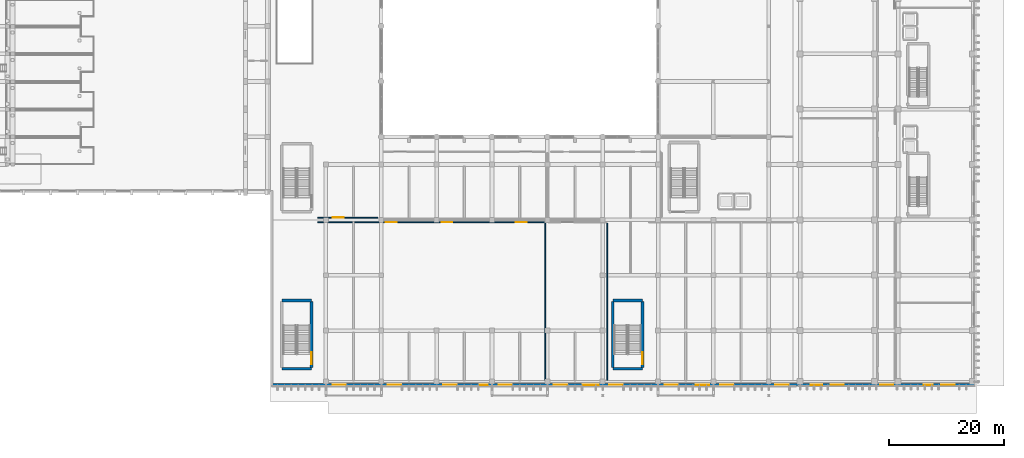
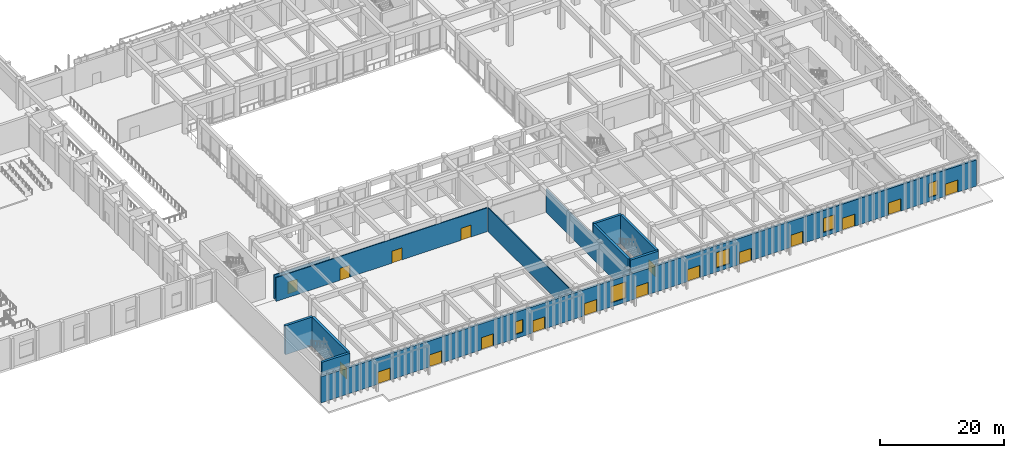
# One storey, part 42 of 87: 18 doors, 12 walls, 5 windows, 23 openings.
"""IFC4 building model written with IfcOpenShell, lengths in metres."""

from ifc_helpers import new_model, si_unit, direction, frame, frame_2d, origin, place, context, subcontext, project, spatial, rectangle, extrude, material, layer, layer_set, type_object, element, fill, save


model = new_model("IFC4")

# Units and contexts
model_context = context("Model", 3, precision=1e-05, world=origin(), true_north=direction((0.0, 1.0)))
body_context = subcontext(model_context, "Body", "Model", "MODEL_VIEW")
ifc_project = project(units=[si_unit("LENGTHUNIT", "METRE"), si_unit("AREAUNIT", "SQUARE_METRE"), si_unit("VOLUMEUNIT", "CUBIC_METRE"), si_unit("PLANEANGLEUNIT", "RADIAN"), si_unit("MASSUNIT", "GRAM", prefix="KILO")], contexts=[model_context])

# Site, building, storey
site_placement = place(None, origin())
site = spatial("IfcSite", under=ifc_project, at=site_placement, CompositionType="ELEMENT")
building_placement = place(site_placement, origin())
building = spatial("IfcBuilding", under=site, at=building_placement, Name="Nakhvara Creek Congress Hotel", CompositionType="ELEMENT")
storey_placement = place(building_placement, origin())
storey = spatial("IfcBuildingStorey", under=building, at=storey_placement, Name="L00", CompositionType="ELEMENT", Elevation=0.0)

# Walls
ifc_material_1 = material(Name="Concrete C50/60", Category="concrete")
ifc_layer_1 = layer(ifc_material_1, 0.449951171875)
ifc_layer_set_1 = layer_set([ifc_layer_1], Name="Concrete C50/60")
wall_type_1 = type_object("IfcWallType", Name="W-CORE-450", PredefinedType="SHEAR", material=ifc_layer_set_1)
for number, where, z_axis, x_axis, name in (
    (1, (59.550048828125, 2.97998046875, 0.0), (0.0, 0.0, 1.0), (1.0, 0.0, 0.0), "Core Shear Wall WS02-CWALL-L00-0943"),
    (2, (59.550048828125, 14.820068359375, 0.0), (0.0, 0.0, 1.0), (1.0, 0.0, 0.0), "Core Shear Wall WS02-CWALL-L00-0944"),
):
    element("IfcWall", number, at=place(storey_placement, frame(where, z_axis=z_axis, x_axis=x_axis)), inside=storey, type_object=wall_type_1, Name=name, PredefinedType="SHEAR", context=body_context, shape_type="SweptSolid", body=[
        extrude(rectangle(XDim=5.14990234375, YDim=0.449951171875, at=frame_2d((2.574951171875, 0.0))), origin(), (0.0, 0.0, 1.0), 5.699951171875),
    ])

# Wall, opening, door
wall_1_placement = place(storey_placement, frame((64.699951171875, 3.199951171875, 0.0), z_axis=(0.0, 0.0, 1.0), x_axis=(0.0, 1.0, 0.0)))
wall_1 = element("IfcWall", 3, at=wall_1_placement, inside=storey, type_object=wall_type_1, Name="Core Shear Wall WS02-CWALL-L00-0946", PredefinedType="SHEAR", context=body_context, shape_type="SweptSolid", body=[
    extrude(rectangle(XDim=11.400146484375, YDim=0.449951171875, at=frame_2d((5.7001953125, 0.0))), origin(), (0.0, 0.0, 1.0), 5.699951171875),
])
opening_1_placement = place(wall_1_placement, frame((0.550048828125, 0.0, 0.0)))
opening_1 = element("IfcOpeningElement", 4, at=opening_1_placement, cuts=wall_1, Name="Opening FD19", PredefinedType="OPENING", context=body_context, shape_type="SweptSolid", body=[
    extrude(rectangle(XDim=2.10009765625, YDim=2.199951171875, at=frame_2d((1.050048828125, 1.10009765625))), frame((0.0, 0.23681640625, 0.0), z_axis=(0.0, -1.0, 0.0), x_axis=(1.0, 0.0, 0.0)), (0.0, 0.0, 1.0), 0.473876953125),
])
ifc_material_2 = material(Name="Galvanised steel acoustic fire door", Category="steel")
door_type_1 = type_object("IfcDoorType", Name="DT-STAIR-220", OperationType="DOUBLE_DOOR_SINGLE_SWING", PredefinedType="DOOR", material=ifc_material_2)
door_1_placement = place(opening_1_placement, frame((2.10009765625, 0.0, 0.0), z_axis=(0.0, 0.0, 1.0), x_axis=(-1.0, 0.0, 0.0)))
door_1 = element("IfcDoor", 5, at=door_1_placement, inside=storey, type_object=door_type_1, Name="Stair Exit Door ST11-L00", OperationType="DOUBLE_DOOR_SINGLE_SWING", OverallHeight=2.199951171875, OverallWidth=2.10009765625, PredefinedType="DOOR", context=body_context, shape_type="SweptSolid", body=[
    extrude(rectangle(XDim=2.10009765625, YDim=2.199951171875, at=frame_2d((1.050048828125, 1.10009765625))), frame((0.0, 0.02490234375, 0.0), z_axis=(0.0, -1.0, 0.0), x_axis=(1.0, 0.0, 0.0)), (0.0, 0.0, 1.0), 0.050048828125),
])
fill(opening_1, door_1)

# Walls
for number, where, z_axis, x_axis, name in (
    (6, (116.949951171875, 2.97998046875, 0.0), (0.0, 0.0, 1.0), (1.0, 0.0, 0.0), "Core Shear Wall WS02-CWALL-L00-0963"),
    (7, (116.949951171875, 14.820068359375, 0.0), (0.0, 0.0, 1.0), (1.0, 0.0, 0.0), "Core Shear Wall WS02-CWALL-L00-0964"),
):
    element("IfcWall", number, at=place(storey_placement, frame(where, z_axis=z_axis, x_axis=x_axis)), inside=storey, type_object=wall_type_1, Name=name, PredefinedType="SHEAR", context=body_context, shape_type="SweptSolid", body=[
        extrude(rectangle(XDim=5.150146484375, YDim=0.449951171875, at=frame_2d((2.5751953125, 0.0))), origin(), (0.0, 0.0, 1.0), 5.699951171875),
    ])
wall_2_placement = place(storey_placement, frame((116.949951171875, 3.199951171875, 0.0), z_axis=(0.0, 0.0, 1.0), x_axis=(0.0, 1.0, 0.0)))
element("IfcWall", 8, at=wall_2_placement, inside=storey, type_object=wall_type_1, Name="Core Shear Wall WS02-CWALL-L00-0965", PredefinedType="SHEAR", context=body_context, shape_type="SweptSolid", body=[
    extrude(rectangle(XDim=11.400146484375, YDim=0.449951171875, at=frame_2d((5.7001953125, 0.0))), origin(), (0.0, 0.0, 1.0), 5.699951171875),
])

# Wall, opening, door
wall_3_placement = place(storey_placement, frame((122.10009765625, 3.199951171875, 0.0), z_axis=(0.0, 0.0, 1.0), x_axis=(0.0, 1.0, 0.0)))
wall_3 = element("IfcWall", 9, at=wall_3_placement, inside=storey, type_object=wall_type_1, Name="Core Shear Wall WS02-CWALL-L00-0966", PredefinedType="SHEAR", context=body_context, shape_type="SweptSolid", body=[
    extrude(rectangle(XDim=11.400146484375, YDim=0.449951171875, at=frame_2d((5.7001953125, 0.0))), origin(), (0.0, 0.0, 1.0), 5.699951171875),
])
opening_2_placement = place(wall_3_placement, frame((0.550048828125, 0.0, 0.0)))
opening_2 = element("IfcOpeningElement", 10, at=opening_2_placement, cuts=wall_3, Name="Opening FD19", PredefinedType="OPENING", context=body_context, shape_type="SweptSolid", body=[
    extrude(rectangle(XDim=2.10009765625, YDim=2.199951171875, at=frame_2d((1.050048828125, 1.10009765625))), frame((0.0, 0.23681640625, 0.0), z_axis=(0.0, -1.0, 0.0), x_axis=(1.0, 0.0, 0.0)), (0.0, 0.0, 1.0), 0.473876953125),
])
door_2_placement = place(opening_2_placement, frame((2.10009765625, 0.0, 0.0), z_axis=(0.0, 0.0, 1.0), x_axis=(-1.0, 0.0, 0.0)))
door_2 = element("IfcDoor", 11, at=door_2_placement, inside=storey, type_object=door_type_1, Name="Stair Exit Door ST12-L00", OperationType="DOUBLE_DOOR_SINGLE_SWING", OverallHeight=2.199951171875, OverallWidth=2.10009765625, PredefinedType="DOOR", context=body_context, shape_type="SweptSolid", body=[
    extrude(rectangle(XDim=2.10009765625, YDim=2.199951171875, at=frame_2d((1.050048828125, 1.10009765625))), frame((0.0, 0.02490234375, 0.0), z_axis=(0.0, -1.0, 0.0), x_axis=(1.0, 0.0, 0.0)), (0.0, 0.0, 1.0), 0.050048828125),
])
fill(opening_2, door_2)

# Wall, openings, doors, windows
ifc_material_3 = material(Name="Honed pale Omani limestone cladding", Category="masonry")
ifc_layer_2 = layer(ifc_material_3, 0.050048828125)
ifc_material_4 = material(Name="Mineral wool thermal insulation")
ifc_layer_3 = layer(ifc_material_4, 0.110107421875)
ifc_material_5 = material(Name="Precast concrete C40/50", Category="concrete")
ifc_layer_4 = layer(ifc_material_5, 0.219970703125)
ifc_layer_set_2 = layer_set([ifc_layer_2, ifc_layer_3, ifc_layer_4], Name="Precast concrete C40/50")
wall_type_2 = type_object("IfcWallType", Name="W-EXT-380", PredefinedType="SOLIDWALL", material=ifc_layer_set_2)
wall_4_placement = place(storey_placement, frame((179.64990234375, 0.18994140625, 0.0), z_axis=(0.0, 0.0, 1.0), x_axis=(-1.0, 0.0, 0.0)))
wall_4 = element("IfcWall", 12, at=wall_4_placement, inside=storey, type_object=wall_type_2, Name="Exterior Wall WE03-EW-L00-0033", PredefinedType="SOLIDWALL", context=body_context, shape_type="SweptSolid", body=[
    extrude(rectangle(XDim=121.89990234375, YDim=0.3798828125, at=frame_2d((60.949951171875, 0.0))), origin(), (0.0, 0.0, 1.0), 5.14208984375),
])
opening_3_placement = place(wall_4_placement, frame((3.39990234375, 0.0, 0.0)))
opening_3 = element("IfcOpeningElement", 13, at=opening_3_placement, cuts=wall_4, Name="Opening E35", PredefinedType="OPENING", context=body_context, shape_type="SweptSolid", body=[
    extrude(rectangle(XDim=2.300048828125, YDim=2.39990234375, at=frame_2d((1.14990234375, 1.199951171875))), frame((0.0, 0.201904296875, 0.0), z_axis=(0.0, -1.0, 0.0), x_axis=(1.0, 0.0, 0.0)), (0.0, 0.0, 1.0), 0.40380859375),
])
opening_4_placement = place(wall_4_placement, frame((14.050048828125, 0.0, 0.0)))
opening_4 = element("IfcOpeningElement", 14, at=opening_4_placement, cuts=wall_4, Name="Opening E36", PredefinedType="OPENING", context=body_context, shape_type="SweptSolid", body=[
    extrude(rectangle(XDim=2.300048828125, YDim=2.39990234375, at=frame_2d((1.14990234375, 1.199951171875))), frame((0.0, 0.201904296875, 0.0), z_axis=(0.0, -1.0, 0.0), x_axis=(1.0, 0.0, 0.0)), (0.0, 0.0, 1.0), 0.40380859375),
])
opening_5_placement = place(wall_4_placement, frame((22.60009765625, 0.0, 0.0)))
opening_5 = element("IfcOpeningElement", 15, at=opening_5_placement, cuts=wall_4, Name="Opening E37", PredefinedType="OPENING", context=body_context, shape_type="SweptSolid", body=[
    extrude(rectangle(XDim=2.300048828125, YDim=2.39990234375, at=frame_2d((1.14990234375, 1.199951171875))), frame((0.0, 0.201904296875, 0.0), z_axis=(0.0, -1.0, 0.0), x_axis=(1.0, 0.0, 0.0)), (0.0, 0.0, 1.0), 0.40380859375),
])
opening_6_placement = place(wall_4_placement, frame((32.199951171875, 0.0, 0.0)))
opening_6 = element("IfcOpeningElement", 16, at=opening_6_placement, cuts=wall_4, Name="Opening E38", PredefinedType="OPENING", context=body_context, shape_type="SweptSolid", body=[
    extrude(rectangle(XDim=2.300048828125, YDim=2.39990234375, at=frame_2d((1.14990234375, 1.199951171875))), frame((0.0, 0.201904296875, 0.0), z_axis=(0.0, -1.0, 0.0), x_axis=(1.0, 0.0, 0.0)), (0.0, 0.0, 1.0), 0.40380859375),
])
opening_7_placement = place(wall_4_placement, frame((41.800048828125, 0.0, 0.0)))
opening_7 = element("IfcOpeningElement", 17, at=opening_7_placement, cuts=wall_4, Name="Opening E39", PredefinedType="OPENING", context=body_context, shape_type="SweptSolid", body=[
    extrude(rectangle(XDim=2.300048828125, YDim=2.39990234375, at=frame_2d((1.14990234375, 1.199951171875))), frame((0.0, 0.201904296875, 0.0), z_axis=(0.0, -1.0, 0.0), x_axis=(1.0, 0.0, 0.0)), (0.0, 0.0, 1.0), 0.40380859375),
])
opening_8_placement = place(wall_4_placement, frame((51.39990234375, 0.0, 0.0)))
opening_8 = element("IfcOpeningElement", 18, at=opening_8_placement, cuts=wall_4, Name="Opening E40", PredefinedType="OPENING", context=body_context, shape_type="SweptSolid", body=[
    extrude(rectangle(XDim=2.300048828125, YDim=2.39990234375, at=frame_2d((1.14990234375, 1.199951171875))), frame((0.0, 0.201904296875, 0.0), z_axis=(0.0, -1.0, 0.0), x_axis=(1.0, 0.0, 0.0)), (0.0, 0.0, 1.0), 0.40380859375),
])
opening_9_placement = place(wall_4_placement, frame((61.0, 0.0, 0.0)))
opening_9 = element("IfcOpeningElement", 19, at=opening_9_placement, cuts=wall_4, Name="Opening E41", PredefinedType="OPENING", context=body_context, shape_type="SweptSolid", body=[
    extrude(rectangle(XDim=2.300048828125, YDim=2.39990234375, at=frame_2d((1.14990234375, 1.199951171875))), frame((0.0, 0.201904296875, 0.0), z_axis=(0.0, -1.0, 0.0), x_axis=(1.0, 0.0, 0.0)), (0.0, 0.0, 1.0), 0.40380859375),
])
opening_10_placement = place(wall_4_placement, frame((70.60009765625, 0.0, 0.0)))
opening_10 = element("IfcOpeningElement", 20, at=opening_10_placement, cuts=wall_4, Name="Opening E42", PredefinedType="OPENING", context=body_context, shape_type="SweptSolid", body=[
    extrude(rectangle(XDim=2.300048828125, YDim=2.39990234375, at=frame_2d((1.14990234375, 1.199951171875))), frame((0.0, 0.201904296875, 0.0), z_axis=(0.0, -1.0, 0.0), x_axis=(1.0, 0.0, 0.0)), (0.0, 0.0, 1.0), 0.40380859375),
])
opening_11_placement = place(wall_4_placement, frame((80.199951171875, 0.0, 0.0)))
opening_11 = element("IfcOpeningElement", 21, at=opening_11_placement, cuts=wall_4, Name="Opening E43", PredefinedType="OPENING", context=body_context, shape_type="SweptSolid", body=[
    extrude(rectangle(XDim=2.300048828125, YDim=2.39990234375, at=frame_2d((1.14990234375, 1.199951171875))), frame((0.0, 0.201904296875, 0.0), z_axis=(0.0, -1.0, 0.0), x_axis=(1.0, 0.0, 0.0)), (0.0, 0.0, 1.0), 0.40380859375),
])
opening_12_placement = place(wall_4_placement, frame((89.800048828125, 0.0, 0.0)))
opening_12 = element("IfcOpeningElement", 22, at=opening_12_placement, cuts=wall_4, Name="Opening E44", PredefinedType="OPENING", context=body_context, shape_type="SweptSolid", body=[
    extrude(rectangle(XDim=2.300048828125, YDim=2.39990234375, at=frame_2d((1.14990234375, 1.199951171875))), frame((0.0, 0.201904296875, 0.0), z_axis=(0.0, -1.0, 0.0), x_axis=(1.0, 0.0, 0.0)), (0.0, 0.0, 1.0), 0.40380859375),
])
opening_13_placement = place(wall_4_placement, frame((99.39990234375, 0.0, 0.0)))
opening_13 = element("IfcOpeningElement", 23, at=opening_13_placement, cuts=wall_4, Name="Opening E45", PredefinedType="OPENING", context=body_context, shape_type="SweptSolid", body=[
    extrude(rectangle(XDim=2.300048828125, YDim=2.39990234375, at=frame_2d((1.14990234375, 1.199951171875))), frame((0.0, 0.201904296875, 0.0), z_axis=(0.0, -1.0, 0.0), x_axis=(1.0, 0.0, 0.0)), (0.0, 0.0, 1.0), 0.40380859375),
])
opening_14_placement = place(wall_4_placement, frame((109.0, 0.0, 0.0)))
opening_14 = element("IfcOpeningElement", 24, at=opening_14_placement, cuts=wall_4, Name="Opening E46", PredefinedType="OPENING", context=body_context, shape_type="SweptSolid", body=[
    extrude(rectangle(XDim=2.300048828125, YDim=2.39990234375, at=frame_2d((1.14990234375, 1.199951171875))), frame((0.0, 0.201904296875, 0.0), z_axis=(0.0, -1.0, 0.0), x_axis=(1.0, 0.0, 0.0)), (0.0, 0.0, 1.0), 0.40380859375),
])
opening_15_placement = place(wall_4_placement, frame((7.199951171875, 0.0, 0.800048828125)))
opening_15 = element("IfcOpeningElement", 25, at=opening_15_placement, cuts=wall_4, Name="Opening WN0018", PredefinedType="OPENING", context=body_context, shape_type="SweptSolid", body=[
    extrude(rectangle(XDim=1.60009765625, YDim=2.800048828125, at=frame_2d((0.800048828125, 1.39990234375))), frame((0.0, 0.201904296875, 0.0), z_axis=(0.0, -1.0, 0.0), x_axis=(1.0, 0.0, 0.0)), (0.0, 0.0, 1.0), 0.40380859375),
])
opening_16_placement = place(wall_4_placement, frame((26.39990234375, 0.0, 0.800048828125)))
opening_16 = element("IfcOpeningElement", 26, at=opening_16_placement, cuts=wall_4, Name="Opening WN0019", PredefinedType="OPENING", context=body_context, shape_type="SweptSolid", body=[
    extrude(rectangle(XDim=2.0, YDim=2.800048828125, at=frame_2d((1.0, 1.39990234375))), frame((0.0, 0.201904296875, 0.0), z_axis=(0.0, -1.0, 0.0), x_axis=(1.0, 0.0, 0.0)), (0.0, 0.0, 1.0), 0.40380859375),
])
opening_17_placement = place(wall_4_placement, frame((45.949951171875, 0.0, 0.800048828125)))
opening_17 = element("IfcOpeningElement", 27, at=opening_17_placement, cuts=wall_4, Name="Opening WN0020", PredefinedType="OPENING", context=body_context, shape_type="SweptSolid", body=[
    extrude(rectangle(XDim=2.39990234375, YDim=3.0, at=frame_2d((1.199951171875, 1.5))), frame((0.0, 0.201904296875, 0.0), z_axis=(0.0, -1.0, 0.0), x_axis=(1.0, 0.0, 0.0)), (0.0, 0.0, 1.0), 0.40380859375),
])
opening_18_placement = place(wall_4_placement, frame((65.14990234375, 0.0, 0.800048828125)))
opening_18 = element("IfcOpeningElement", 28, at=opening_18_placement, cuts=wall_4, Name="Opening WN0021", PredefinedType="OPENING", context=body_context, shape_type="SweptSolid", body=[
    extrude(rectangle(XDim=2.800048828125, YDim=3.199951171875, at=frame_2d((1.39990234375, 1.60009765625))), frame((0.0, 0.201904296875, 0.0), z_axis=(0.0, -1.0, 0.0), x_axis=(1.0, 0.0, 0.0)), (0.0, 0.0, 1.0), 0.40380859375),
])
opening_19_placement = place(wall_4_placement, frame((84.35009765625, 0.0, 0.800048828125)))
opening_19 = element("IfcOpeningElement", 29, at=opening_19_placement, cuts=wall_4, Name="Opening WN0022", PredefinedType="OPENING", context=body_context, shape_type="SweptSolid", body=[
    extrude(rectangle(XDim=1.39990234375, YDim=2.5, at=frame_2d((0.699951171875, 1.25))), frame((0.0, 0.201904296875, 0.0), z_axis=(0.0, -1.0, 0.0), x_axis=(1.0, 0.0, 0.0)), (0.0, 0.0, 1.0), 0.40380859375),
])
ifc_material_6 = material(Name="Bronze-anodised aluminium and laminated low-E glass", Category="aluminium")
door_type_2 = type_object("IfcDoorType", Name="DT-EXT-E230", OperationType="DOUBLE_DOOR_SINGLE_SWING", PredefinedType="DOOR", material=ifc_material_6)
door_3_placement = place(opening_3_placement, origin())
door_3 = element("IfcDoor", 30, at=door_3_placement, inside=storey, type_object=door_type_2, Name="Main Final Exit E35", OperationType="DOUBLE_DOOR_SINGLE_SWING", OverallHeight=2.39990234375, OverallWidth=2.300048828125, PredefinedType="DOOR", context=body_context, shape_type="SweptSolid", body=[
    extrude(rectangle(XDim=2.300048828125, YDim=2.39990234375, at=frame_2d((1.14990234375, 1.199951171875))), frame((0.0, 0.02490234375, 0.0), z_axis=(0.0, -1.0, 0.0), x_axis=(1.0, 0.0, 0.0)), (0.0, 0.0, 1.0), 0.050048828125),
])
fill(opening_3, door_3)
door_4_placement = place(opening_4_placement, origin())
door_4 = element("IfcDoor", 31, at=door_4_placement, inside=storey, type_object=door_type_2, Name="Main Final Exit E36", OperationType="DOUBLE_DOOR_SINGLE_SWING", OverallHeight=2.39990234375, OverallWidth=2.300048828125, PredefinedType="DOOR", context=body_context, shape_type="SweptSolid", body=[
    extrude(rectangle(XDim=2.300048828125, YDim=2.39990234375, at=frame_2d((1.14990234375, 1.199951171875))), frame((0.0, 0.02490234375, 0.0), z_axis=(0.0, -1.0, 0.0), x_axis=(1.0, 0.0, 0.0)), (0.0, 0.0, 1.0), 0.050048828125),
])
fill(opening_4, door_4)
door_5_placement = place(opening_5_placement, origin())
door_5 = element("IfcDoor", 32, at=door_5_placement, inside=storey, type_object=door_type_2, Name="Main Final Exit E37", OperationType="DOUBLE_DOOR_SINGLE_SWING", OverallHeight=2.39990234375, OverallWidth=2.300048828125, PredefinedType="DOOR", context=body_context, shape_type="SweptSolid", body=[
    extrude(rectangle(XDim=2.300048828125, YDim=2.39990234375, at=frame_2d((1.14990234375, 1.199951171875))), frame((0.0, 0.02490234375, 0.0), z_axis=(0.0, -1.0, 0.0), x_axis=(1.0, 0.0, 0.0)), (0.0, 0.0, 1.0), 0.050048828125),
])
fill(opening_5, door_5)
door_6_placement = place(opening_6_placement, origin())
door_6 = element("IfcDoor", 33, at=door_6_placement, inside=storey, type_object=door_type_2, Name="Main Final Exit E38", OperationType="DOUBLE_DOOR_SINGLE_SWING", OverallHeight=2.39990234375, OverallWidth=2.300048828125, PredefinedType="DOOR", context=body_context, shape_type="SweptSolid", body=[
    extrude(rectangle(XDim=2.300048828125, YDim=2.39990234375, at=frame_2d((1.14990234375, 1.199951171875))), frame((0.0, 0.02490234375, 0.0), z_axis=(0.0, -1.0, 0.0), x_axis=(1.0, 0.0, 0.0)), (0.0, 0.0, 1.0), 0.050048828125),
])
fill(opening_6, door_6)
door_7_placement = place(opening_7_placement, origin())
door_7 = element("IfcDoor", 34, at=door_7_placement, inside=storey, type_object=door_type_2, Name="Main Final Exit E39", OperationType="DOUBLE_DOOR_SINGLE_SWING", OverallHeight=2.39990234375, OverallWidth=2.300048828125, PredefinedType="DOOR", context=body_context, shape_type="SweptSolid", body=[
    extrude(rectangle(XDim=2.300048828125, YDim=2.39990234375, at=frame_2d((1.14990234375, 1.199951171875))), frame((0.0, 0.02490234375, 0.0), z_axis=(0.0, -1.0, 0.0), x_axis=(1.0, 0.0, 0.0)), (0.0, 0.0, 1.0), 0.050048828125),
])
fill(opening_7, door_7)
door_8_placement = place(opening_8_placement, origin())
door_8 = element("IfcDoor", 35, at=door_8_placement, inside=storey, type_object=door_type_2, Name="Main Final Exit E40", OperationType="DOUBLE_DOOR_SINGLE_SWING", OverallHeight=2.39990234375, OverallWidth=2.300048828125, PredefinedType="DOOR", context=body_context, shape_type="SweptSolid", body=[
    extrude(rectangle(XDim=2.300048828125, YDim=2.39990234375, at=frame_2d((1.14990234375, 1.199951171875))), frame((0.0, 0.02490234375, 0.0), z_axis=(0.0, -1.0, 0.0), x_axis=(1.0, 0.0, 0.0)), (0.0, 0.0, 1.0), 0.050048828125),
])
fill(opening_8, door_8)
door_9_placement = place(opening_9_placement, origin())
door_9 = element("IfcDoor", 36, at=door_9_placement, inside=storey, type_object=door_type_2, Name="Main Final Exit E41", OperationType="DOUBLE_DOOR_SINGLE_SWING", OverallHeight=2.39990234375, OverallWidth=2.300048828125, PredefinedType="DOOR", context=body_context, shape_type="SweptSolid", body=[
    extrude(rectangle(XDim=2.300048828125, YDim=2.39990234375, at=frame_2d((1.14990234375, 1.199951171875))), frame((0.0, 0.02490234375, 0.0), z_axis=(0.0, -1.0, 0.0), x_axis=(1.0, 0.0, 0.0)), (0.0, 0.0, 1.0), 0.050048828125),
])
fill(opening_9, door_9)
door_10_placement = place(opening_10_placement, origin())
door_10 = element("IfcDoor", 37, at=door_10_placement, inside=storey, type_object=door_type_2, Name="Main Final Exit E42", OperationType="DOUBLE_DOOR_SINGLE_SWING", OverallHeight=2.39990234375, OverallWidth=2.300048828125, PredefinedType="DOOR", context=body_context, shape_type="SweptSolid", body=[
    extrude(rectangle(XDim=2.300048828125, YDim=2.39990234375, at=frame_2d((1.14990234375, 1.199951171875))), frame((0.0, 0.02490234375, 0.0), z_axis=(0.0, -1.0, 0.0), x_axis=(1.0, 0.0, 0.0)), (0.0, 0.0, 1.0), 0.050048828125),
])
fill(opening_10, door_10)
door_11_placement = place(opening_11_placement, origin())
door_11 = element("IfcDoor", 38, at=door_11_placement, inside=storey, type_object=door_type_2, Name="Main Final Exit E43", OperationType="DOUBLE_DOOR_SINGLE_SWING", OverallHeight=2.39990234375, OverallWidth=2.300048828125, PredefinedType="DOOR", context=body_context, shape_type="SweptSolid", body=[
    extrude(rectangle(XDim=2.300048828125, YDim=2.39990234375, at=frame_2d((1.14990234375, 1.199951171875))), frame((0.0, 0.02490234375, 0.0), z_axis=(0.0, -1.0, 0.0), x_axis=(1.0, 0.0, 0.0)), (0.0, 0.0, 1.0), 0.050048828125),
])
fill(opening_11, door_11)
door_12_placement = place(opening_12_placement, origin())
door_12 = element("IfcDoor", 39, at=door_12_placement, inside=storey, type_object=door_type_2, Name="Main Final Exit E44", OperationType="DOUBLE_DOOR_SINGLE_SWING", OverallHeight=2.39990234375, OverallWidth=2.300048828125, PredefinedType="DOOR", context=body_context, shape_type="SweptSolid", body=[
    extrude(rectangle(XDim=2.300048828125, YDim=2.39990234375, at=frame_2d((1.14990234375, 1.199951171875))), frame((0.0, 0.02490234375, 0.0), z_axis=(0.0, -1.0, 0.0), x_axis=(1.0, 0.0, 0.0)), (0.0, 0.0, 1.0), 0.050048828125),
])
fill(opening_12, door_12)
door_13_placement = place(opening_13_placement, origin())
door_13 = element("IfcDoor", 40, at=door_13_placement, inside=storey, type_object=door_type_2, Name="Main Final Exit E45", OperationType="DOUBLE_DOOR_SINGLE_SWING", OverallHeight=2.39990234375, OverallWidth=2.300048828125, PredefinedType="DOOR", context=body_context, shape_type="SweptSolid", body=[
    extrude(rectangle(XDim=2.300048828125, YDim=2.39990234375, at=frame_2d((1.14990234375, 1.199951171875))), frame((0.0, 0.02490234375, 0.0), z_axis=(0.0, -1.0, 0.0), x_axis=(1.0, 0.0, 0.0)), (0.0, 0.0, 1.0), 0.050048828125),
])
fill(opening_13, door_13)
door_14_placement = place(opening_14_placement, origin())
door_14 = element("IfcDoor", 41, at=door_14_placement, inside=storey, type_object=door_type_2, Name="Main Final Exit E46", OperationType="DOUBLE_DOOR_SINGLE_SWING", OverallHeight=2.39990234375, OverallWidth=2.300048828125, PredefinedType="DOOR", context=body_context, shape_type="SweptSolid", body=[
    extrude(rectangle(XDim=2.300048828125, YDim=2.39990234375, at=frame_2d((1.14990234375, 1.199951171875))), frame((0.0, 0.02490234375, 0.0), z_axis=(0.0, -1.0, 0.0), x_axis=(1.0, 0.0, 0.0)), (0.0, 0.0, 1.0), 0.050048828125),
])
fill(opening_14, door_14)
ifc_material_7 = material(Name="Thermally broken bronze-anodised aluminium and double-silver low-E insulated glass", Category="aluminium")
window_type_1 = type_object("IfcWindowType", Name="WN-POD-140X250", PartitioningType="SINGLE_PANEL", PredefinedType="WINDOW", material=ifc_material_7)
window_1_placement = place(opening_19_placement, origin())
window_1 = element("IfcWindow", 42, at=window_1_placement, inside=storey, type_object=window_type_1, Name="Facade Window WN0022", OverallHeight=2.5, OverallWidth=1.39990234375, PartitioningType="SINGLE_PANEL", PredefinedType="WINDOW", context=body_context, shape_type="SweptSolid", body=[
    extrude(rectangle(XDim=1.39990234375, YDim=2.5, at=frame_2d((0.699951171875, 1.25))), frame((0.0, 0.030029296875, 0.0), z_axis=(0.0, -1.0, 0.0), x_axis=(1.0, 0.0, 0.0)), (0.0, 0.0, 1.0), 0.06005859375),
])
fill(opening_19, window_1)
window_type_2 = type_object("IfcWindowType", Name="WN-POD-160X280", PartitioningType="SINGLE_PANEL", PredefinedType="WINDOW", material=ifc_material_7)
window_2_placement = place(opening_15_placement, origin())
window_2 = element("IfcWindow", 43, at=window_2_placement, inside=storey, type_object=window_type_2, Name="Facade Window WN0018", OverallHeight=2.800048828125, OverallWidth=1.60009765625, PartitioningType="SINGLE_PANEL", PredefinedType="WINDOW", context=body_context, shape_type="SweptSolid", body=[
    extrude(rectangle(XDim=1.60009765625, YDim=2.800048828125, at=frame_2d((0.800048828125, 1.39990234375))), frame((0.0, 0.030029296875, 0.0), z_axis=(0.0, -1.0, 0.0), x_axis=(1.0, 0.0, 0.0)), (0.0, 0.0, 1.0), 0.06005859375),
])
fill(opening_15, window_2)
window_type_3 = type_object("IfcWindowType", Name="WN-POD-200X280", PartitioningType="SINGLE_PANEL", PredefinedType="WINDOW", material=ifc_material_7)
window_3_placement = place(opening_16_placement, origin())
window_3 = element("IfcWindow", 44, at=window_3_placement, inside=storey, type_object=window_type_3, Name="Facade Window WN0019", OverallHeight=2.800048828125, OverallWidth=2.0, PartitioningType="SINGLE_PANEL", PredefinedType="WINDOW", context=body_context, shape_type="SweptSolid", body=[
    extrude(rectangle(XDim=2.0, YDim=2.800048828125, at=frame_2d((1.0, 1.39990234375))), frame((0.0, 0.030029296875, 0.0), z_axis=(0.0, -1.0, 0.0), x_axis=(1.0, 0.0, 0.0)), (0.0, 0.0, 1.0), 0.06005859375),
])
fill(opening_16, window_3)
window_type_4 = type_object("IfcWindowType", Name="WN-POD-240X300", PartitioningType="SINGLE_PANEL", PredefinedType="WINDOW", material=ifc_material_7)
window_4_placement = place(opening_17_placement, origin())
window_4 = element("IfcWindow", 45, at=window_4_placement, inside=storey, type_object=window_type_4, Name="Facade Window WN0020", OverallHeight=3.0, OverallWidth=2.39990234375, PartitioningType="SINGLE_PANEL", PredefinedType="WINDOW", context=body_context, shape_type="SweptSolid", body=[
    extrude(rectangle(XDim=2.39990234375, YDim=3.0, at=frame_2d((1.199951171875, 1.5))), frame((0.0, 0.030029296875, 0.0), z_axis=(0.0, -1.0, 0.0), x_axis=(1.0, 0.0, 0.0)), (0.0, 0.0, 1.0), 0.06005859375),
])
fill(opening_17, window_4)
window_type_5 = type_object("IfcWindowType", Name="WN-POD-280X320", PartitioningType="SINGLE_PANEL", PredefinedType="WINDOW", material=ifc_material_7)
window_5_placement = place(opening_18_placement, origin())
window_5 = element("IfcWindow", 46, at=window_5_placement, inside=storey, type_object=window_type_5, Name="Facade Window WN0021", OverallHeight=3.199951171875, OverallWidth=2.800048828125, PartitioningType="SINGLE_PANEL", PredefinedType="WINDOW", context=body_context, shape_type="SweptSolid", body=[
    extrude(rectangle(XDim=2.800048828125, YDim=3.199951171875, at=frame_2d((1.39990234375, 1.60009765625))), frame((0.0, 0.030029296875, 0.0), z_axis=(0.0, -1.0, 0.0), x_axis=(1.0, 0.0, 0.0)), (0.0, 0.0, 1.0), 0.06005859375),
])
fill(opening_18, window_5)

# Wall, opening, door
ifc_material_8 = material(Name="Gypsum acoustic board on steel stud", Category="steel")
ifc_layer_5 = layer(ifc_material_8, 0.179931640625)
ifc_layer_set_3 = layer_set([ifc_layer_5], Name="Gypsum acoustic board on steel stud")
wall_type_3 = type_object("IfcWallType", Name="W-MEET-180", PredefinedType="PARTITIONING", material=ifc_layer_set_3)
wall_5_placement = place(storey_placement, frame((65.800048828125, 29.199951171875, 0.0), z_axis=(0.0, 0.0, 1.0), x_axis=(1.0, 0.0, 0.0)))
wall_5 = element("IfcWall", 47, at=wall_5_placement, inside=storey, type_object=wall_type_3, Name="Interior Wall WP13-IW-L00-0059", PredefinedType="PARTITIONING", context=body_context, shape_type="SweptSolid", body=[
    extrude(rectangle(XDim=10.39990234375, YDim=0.179931640625, at=frame_2d((5.199951171875, 0.0))), origin(), (0.0, 0.0, 1.0), 4.69189453125),
])
opening_20_placement = place(wall_5_placement, frame((2.60009765625, 0.0, 0.0)))
opening_20 = element("IfcOpeningElement", 48, at=opening_20_placement, cuts=wall_5, Name="Opening MD01", PredefinedType="OPENING", context=body_context, shape_type="SweptSolid", body=[
    extrude(rectangle(XDim=1.85009765625, YDim=2.35009765625, at=frame_2d((0.925048828125, 1.175048828125))), frame((0.0, 0.10205078125, 0.0), z_axis=(0.0, -1.0, 0.0), x_axis=(1.0, 0.0, 0.0)), (0.0, 0.0, 1.0), 0.203857421875),
])
ifc_material_9 = material(Name="Acoustic walnut timber double door", Category="wood")
door_type_3 = type_object("IfcDoorType", Name="DT-MEET-185", OperationType="DOUBLE_DOOR_SINGLE_SWING", PredefinedType="DOOR", material=ifc_material_9)
door_15_placement = place(opening_20_placement, frame((1.85009765625, 0.0, 0.0), z_axis=(0.0, 0.0, 1.0), x_axis=(-1.0, 0.0, 0.0)))
door_15 = element("IfcDoor", 49, at=door_15_placement, inside=storey, type_object=door_type_3, Name="Interior Door MD01-0058", OperationType="DOUBLE_DOOR_SINGLE_SWING", OverallHeight=2.35009765625, OverallWidth=1.85009765625, PredefinedType="DOOR", context=body_context, shape_type="SweptSolid", body=[
    extrude(rectangle(XDim=1.85009765625, YDim=2.35009765625, at=frame_2d((0.925048828125, 1.175048828125))), frame((0.0, 0.02490234375, 0.0), z_axis=(0.0, -1.0, 0.0), x_axis=(1.0, 0.0, 0.0)), (0.0, 0.0, 1.0), 0.050048828125),
])
fill(opening_20, door_15)

# Wall, openings, doors
wall_6_placement = place(storey_placement, frame((65.75, 28.39990234375, 0.0), z_axis=(0.0, 0.0, 1.0), x_axis=(1.0, 0.0, 0.0)))
wall_6 = element("IfcWall", 50, at=wall_6_placement, inside=storey, type_object=wall_type_3, Name="Interior Wall WP13-IW-L00-0067", PredefinedType="PARTITIONING", context=body_context, shape_type="SweptSolid", body=[
    extrude(rectangle(XDim=39.300048828125, YDim=0.179931640625, at=frame_2d((19.64990234375, 0.0))), origin(), (0.0, 0.0, 1.0), 4.69189453125),
])
opening_21_placement = place(wall_6_placement, frame((11.85009765625, 0.0, 0.0)))
opening_21 = element("IfcOpeningElement", 51, at=opening_21_placement, cuts=wall_6, Name="Opening MD01", PredefinedType="OPENING", context=body_context, shape_type="SweptSolid", body=[
    extrude(rectangle(XDim=1.85009765625, YDim=2.35009765625, at=frame_2d((0.925048828125, 1.175048828125))), frame((0.0, 0.10205078125, 0.0), z_axis=(0.0, -1.0, 0.0), x_axis=(1.0, 0.0, 0.0)), (0.0, 0.0, 1.0), 0.203857421875),
])
opening_22_placement = place(wall_6_placement, frame((34.39990234375, 0.0, 0.0)))
opening_22 = element("IfcOpeningElement", 52, at=opening_22_placement, cuts=wall_6, Name="Opening MD01", PredefinedType="OPENING", context=body_context, shape_type="SweptSolid", body=[
    extrude(rectangle(XDim=1.85009765625, YDim=2.35009765625, at=frame_2d((0.925048828125, 1.175048828125))), frame((0.0, 0.10205078125, 0.0), z_axis=(0.0, -1.0, 0.0), x_axis=(1.0, 0.0, 0.0)), (0.0, 0.0, 1.0), 0.203857421875),
])
opening_23_placement = place(wall_6_placement, frame((21.550048828125, 0.0, 0.0)))
opening_23 = element("IfcOpeningElement", 53, at=opening_23_placement, cuts=wall_6, Name="Opening MD01", PredefinedType="OPENING", context=body_context, shape_type="SweptSolid", body=[
    extrude(rectangle(XDim=1.85009765625, YDim=2.35009765625, at=frame_2d((0.925048828125, 1.175048828125))), frame((0.0, 0.10205078125, 0.0), z_axis=(0.0, -1.0, 0.0), x_axis=(1.0, 0.0, 0.0)), (0.0, 0.0, 1.0), 0.203857421875),
])
door_16_placement = place(opening_21_placement, origin())
door_16 = element("IfcDoor", 54, at=door_16_placement, inside=storey, type_object=door_type_3, Name="Interior Door MD01-0067", OperationType="DOUBLE_DOOR_SINGLE_SWING", OverallHeight=2.35009765625, OverallWidth=1.85009765625, PredefinedType="DOOR", context=body_context, shape_type="SweptSolid", body=[
    extrude(rectangle(XDim=1.85009765625, YDim=2.35009765625, at=frame_2d((0.925048828125, 1.175048828125))), frame((0.0, 0.02490234375, 0.0), z_axis=(0.0, -1.0, 0.0), x_axis=(1.0, 0.0, 0.0)), (0.0, 0.0, 1.0), 0.050048828125),
])
fill(opening_21, door_16)
door_17_placement = place(opening_22_placement, origin())
door_17 = element("IfcDoor", 55, at=door_17_placement, inside=storey, type_object=door_type_3, Name="Interior Door MD01-0068", OperationType="DOUBLE_DOOR_SINGLE_SWING", OverallHeight=2.35009765625, OverallWidth=1.85009765625, PredefinedType="DOOR", context=body_context, shape_type="SweptSolid", body=[
    extrude(rectangle(XDim=1.85009765625, YDim=2.35009765625, at=frame_2d((0.925048828125, 1.175048828125))), frame((0.0, 0.02490234375, 0.0), z_axis=(0.0, -1.0, 0.0), x_axis=(1.0, 0.0, 0.0)), (0.0, 0.0, 1.0), 0.050048828125),
])
fill(opening_22, door_17)
door_18_placement = place(opening_23_placement, origin())
door_18 = element("IfcDoor", 56, at=door_18_placement, inside=storey, type_object=door_type_3, Name="Interior Door MD01-0069", OperationType="DOUBLE_DOOR_SINGLE_SWING", OverallHeight=2.35009765625, OverallWidth=1.85009765625, PredefinedType="DOOR", context=body_context, shape_type="SweptSolid", body=[
    extrude(rectangle(XDim=1.85009765625, YDim=2.35009765625, at=frame_2d((0.925048828125, 1.175048828125))), frame((0.0, 0.02490234375, 0.0), z_axis=(0.0, -1.0, 0.0), x_axis=(1.0, 0.0, 0.0)), (0.0, 0.0, 1.0), 0.050048828125),
])
fill(opening_23, door_18)

# Walls
for number, where, z_axis, x_axis, name in (
    (57, (105.199951171875, 0.949951171875, 0.0), (0.0, 0.0, 1.0), (0.0, 1.0, 0.0), "Interior Wall WP13-IW-L00-0068"),
    (58, (116.0, 0.949951171875, 0.0), (0.0, 0.0, 1.0), (0.0, 1.0, 0.0), "Interior Wall WP13-IW-L00-0070"),
):
    element("IfcWall", number, at=place(storey_placement, frame(where, z_axis=z_axis, x_axis=x_axis)), inside=storey, type_object=wall_type_3, Name=name, PredefinedType="PARTITIONING", context=body_context, shape_type="SweptSolid", body=[
        extrude(rectangle(XDim=27.300048828125, YDim=0.179931640625, at=frame_2d((13.64990234375, 0.0))), origin(), (0.0, 0.0, 1.0), 4.69189453125),
    ])

save(model, "model.ifc")
